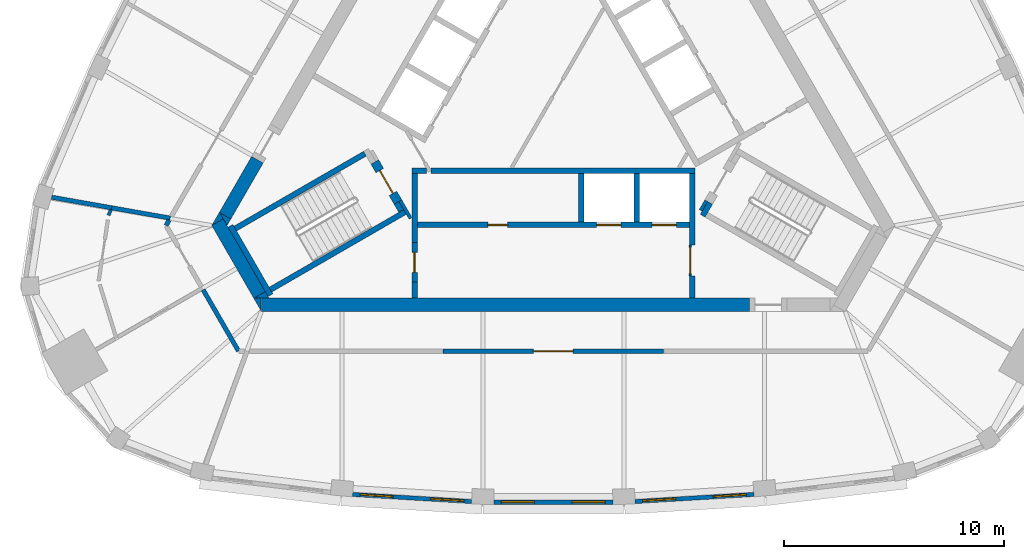
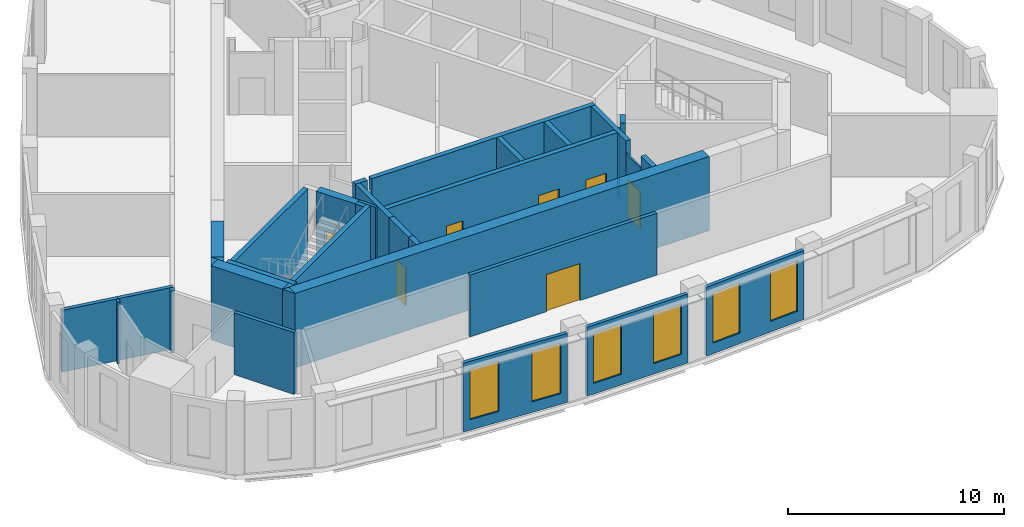
# One storey, part 3 of 8: 35 walls, 7 doors, 6 windows, 13 openings.
"""IFC4 building model written with IfcOpenShell, lengths in metres."""

from ifc_helpers import new_model, si_unit, direction, frame, frame_2d, origin, place, context, subcontext, project, spatial, polyline, rectangle, outline, extrude, material, layer, layer_set, type_object, element, fill, save


model = new_model("IFC4")

# Units and contexts
model_context = context("Model", 3, precision=1e-05, world=origin(), true_north=direction((0.0, 1.0)))
body_context = subcontext(model_context, "Body", "Model", "MODEL_VIEW")
ifc_project = project(units=[si_unit("LENGTHUNIT", "METRE"), si_unit("AREAUNIT", "SQUARE_METRE"), si_unit("VOLUMEUNIT", "CUBIC_METRE"), si_unit("PLANEANGLEUNIT", "RADIAN"), si_unit("MASSUNIT", "GRAM", prefix="KILO")], contexts=[model_context])

# Site, building, storey
site_placement = place(None, origin())
site = spatial("IfcSite", under=ifc_project, at=site_placement, CompositionType="ELEMENT")
building_placement = place(site_placement, origin())
building = spatial("IfcBuilding", under=site, at=building_placement, Name="Mestral Congress Tower", CompositionType="ELEMENT")
storey_placement = place(building_placement, frame((0.0, 0.0, 317.39990234375)))
storey = spatial("IfcBuildingStorey", under=building, at=storey_placement, Name="L74", CompositionType="ELEMENT", Elevation=317.39990234375)

# Wall
ifc_material_1 = material(Name="Fire-rated board partition")
ifc_layer_1 = layer(ifc_material_1, 0.14990234375)
ifc_layer_set_1 = layer_set([ifc_layer_1], Name="Fire-rated board partition")
wall_type_1 = type_object("IfcWallType", Name="Core partition 150", PredefinedType="PARTITIONING", material=ifc_layer_set_1)
wall_1_placement = place(storey_placement, frame((6.94482421875, -5.22216796875, 0.0), z_axis=(0.0, 0.0, 1.0), x_axis=(-0.499818422106, -0.866130212453, 0.0)))
element("IfcWall", 1, at=wall_1_placement, inside=storey, type_object=wall_type_1, Name="L74 core wall", PredefinedType="PARTITIONING", context=body_context, shape_type="SweptSolid", body=[
    extrude(rectangle(XDim=0.513916015625, YDim=0.14990234375, at=frame_2d((0.2568359375, 0.0))), origin(), (0.0, 0.0, 1.0), 3.5),
])

# Wall, opening, door
ifc_layer_2 = layer(ifc_material_1, 0.090087890625)
ifc_layer_set_2 = layer_set([ifc_layer_2], Name="Fire-rated board partition")
wall_type_2 = type_object("IfcWallType", Name="Core partition 150 door-wall 90", PredefinedType="PARTITIONING", material=ifc_layer_set_2)
wall_2_placement = place(storey_placement, frame((6.219970703125, -7.23681640625, 0.0), z_axis=(0.0, 0.0, 1.0), x_axis=(0.0, -1.0, 0.0)))
wall_2 = element("IfcWall", 2, at=wall_2_placement, inside=storey, type_object=wall_type_2, Name="L74 door wall", PredefinedType="PARTITIONING", context=body_context, shape_type="SweptSolid", body=[
    extrude(rectangle(XDim=1.400146484375, YDim=0.090087890625, at=frame_2d((0.7001953125, 0.0))), origin(), (0.0, 0.0, 1.0), 3.5),
])
opening_1_placement = place(wall_2_placement, frame((0.10009765625, 0.0, 0.0)))
opening_1 = element("IfcOpeningElement", 3, at=opening_1_placement, cuts=wall_2, Name="Opening LB0-WL1", PredefinedType="OPENING", context=body_context, shape_type="SweptSolid", body=[
    extrude(rectangle(XDim=1.199951171875, YDim=2.10009765625, at=frame_2d((0.60009765625, 1.050048828125))), frame((0.0, 0.054931640625, 0.0), z_axis=(0.0, -1.0, 0.0), x_axis=(1.0, 0.0, 0.0)), (0.0, 0.0, 1.0), 0.110107421875),
])
ifc_material_2 = material(Name="Fire-rated steel door set", Category="steel")
door_type_1 = type_object("IfcDoorType", Name="Core door LB 1200x2100", OperationType="SINGLE_SWING_LEFT", PredefinedType="DOOR", material=ifc_material_2)
door_1_placement = place(opening_1_placement, origin())
door_1 = element("IfcDoor", 4, at=door_1_placement, inside=storey, type_object=door_type_1, Name="Door LB0-WL1", OperationType="SINGLE_SWING_LEFT", OverallHeight=2.10009765625, OverallWidth=1.199951171875, PredefinedType="DOOR", context=body_context, shape_type="SweptSolid", body=[
    extrude(rectangle(XDim=1.199951171875, YDim=2.10009765625, at=frame_2d((0.60009765625, 1.050048828125))), frame((0.0, 0.02490234375, 0.0), z_axis=(0.0, -1.0, 0.0), x_axis=(1.0, 0.0, 0.0)), (0.0, 0.0, 1.0), 0.050048828125),
])
fill(opening_1, door_1)

# Walls
ifc_material_3 = material(Name="Concrete C60/75", Category="concrete")
ifc_layer_3 = layer(ifc_material_3, 0.60009765625)
ifc_layer_set_3 = layer_set([ifc_layer_3], Name="Concrete C60/75")
wall_type_3 = type_object("IfcWallType", Name="Core wall RC 600", PredefinedType="SOLIDWALL", material=ifc_layer_set_3)
wall_3_placement = place(storey_placement, frame((8.904296875, -9.949951171875, 0.0), z_axis=(0.0, 0.0, 1.0), x_axis=(-1.0, 0.0, 0.0)))
element("IfcWall", 5, at=wall_3_placement, inside=storey, type_object=wall_type_3, Name="L74 core wall", PredefinedType="SOLIDWALL", context=body_context, shape_type="SweptSolid", body=[
    extrude(rectangle(XDim=22.160888671875, YDim=0.60009765625, at=frame_2d((11.08056640625, 0.0))), origin(), (0.0, 0.0, 1.0), 4.2001953125),
])
placement = place(storey_placement, origin())
element("IfcWall", 6, at=placement, inside=storey, type_object=wall_type_3, Name="L74 core wall", PredefinedType="SOLIDWALL", context=body_context, shape_type="SweptSolid", body=[
    extrude(outline(polyline([(-13.5966796875, -9.64990234375), (-13.258544921875, -9.64990234375), (-13.258544921875, -10.235595703125), (-13.5966796875, -9.64990234375)])), origin(), (0.0, 0.0, 1.0), 4.2001953125),
])
wall_5_placement = place(storey_placement, frame((-13.33349609375, -9.505615234375, 0.0), z_axis=(0.0, 0.0, 1.0), x_axis=(-0.500019073792, 0.866014391245, 0.0)))
element("IfcWall", 7, at=wall_5_placement, inside=storey, type_object=wall_type_3, Name="L74 core wall", PredefinedType="SOLIDWALL", context=body_context, shape_type="SweptSolid", body=[
    extrude(rectangle(XDim=3.823486328125, YDim=0.60009765625, at=frame_2d((1.91162109375, 0.0))), origin(), (0.0, 0.0, 1.0), 4.2001953125),
])
element("IfcWall", 8, at=placement, inside=storey, type_object=wall_type_3, Name="L74 core wall", PredefinedType="SOLIDWALL", context=body_context, shape_type="SweptSolid", body=[
    extrude(outline(polyline([(-14.986572265625, -6.042724609375), (-15.493408203125, -6.33544921875), (-15.155517578125, -5.75), (-14.986572265625, -6.042724609375)])), origin(), (0.0, 0.0, 1.0), 4.2001953125),
])
element("IfcWall", 9, at=placement, inside=storey, type_object=wall_type_3, Name="L74 core wall", PredefinedType="SOLIDWALL", context=body_context, shape_type="SweptSolid", body=[
    extrude(outline(polyline([(-12.90380859375, -9.64990234375), (-13.579833984375, -9.64990234375), (-13.07275390625, -9.357421875), (-12.90380859375, -9.64990234375)])), origin(), (0.0, 0.0, 1.0), 4.2001953125),
])
wall_8_placement = place(storey_placement, frame((-13.431640625, -3.3642578125, 0.0), z_axis=(0.0, 0.0, 1.0), x_axis=(-0.499960127962, -0.866048422692, 0.0)))
element("IfcWall", 10, at=wall_8_placement, inside=storey, type_object=wall_type_3, Name="L74 core wall", PredefinedType="SOLIDWALL", context=body_context, shape_type="SweptSolid", body=[
    extrude(rectangle(XDim=2.934326171875, YDim=0.60009765625, at=frame_2d((1.46728515625, 0.0))), origin(), (0.0, 0.0, 1.0), 4.2001953125),
])
element("IfcWall", 11, at=placement, inside=storey, type_object=wall_type_3, Name="L74 core wall", PredefinedType="SOLIDWALL", context=body_context, shape_type="SweptSolid", body=[
    extrude(outline(polyline([(-14.80908203125, -6.35009765625), (-15.147216796875, -5.764404296875), (-14.639892578125, -6.057373046875), (-14.80908203125, -6.35009765625)])), origin(), (0.0, 0.0, 1.0), 4.2001953125),
])

# Wall, openings, windows
ifc_material_4 = material(Name="Precast concrete C40/50 with limestone facing", Category="masonry")
ifc_layer_4 = layer(ifc_material_4, 0.18994140625)
ifc_layer_set_4 = layer_set([ifc_layer_4], Name="Precast concrete C40/50 with limestone facing")
wall_type_4 = type_object("IfcWallType", Name="Facade stone wall 190", PredefinedType="SOLIDWALL", material=ifc_layer_set_4)
wall_10_placement = place(storey_placement, frame((-9.106689453125, -18.557861328125, 0.0), z_axis=(0.0, 0.0, 1.0), x_axis=(0.998221492823, -0.059614186786, 0.0)))
wall_10 = element("IfcWall", 12, at=wall_10_placement, inside=storey, type_object=wall_type_4, Name="Facade wall F0-01", PredefinedType="SOLIDWALL", context=body_context, shape_type="SweptSolid", body=[
    extrude(rectangle(XDim=5.40576171875, YDim=0.18994140625, at=frame_2d((2.702880859375, 0.0))), origin(), (0.0, 0.0, 1.0), 3.900146484375),
])
opening_2_placement = place(wall_10_placement, frame((0.346435546875, 0.0, 0.60009765625)))
opening_2 = element("IfcOpeningElement", 13, at=opening_2_placement, cuts=wall_10, Name="Opening W6", PredefinedType="OPENING", context=body_context, shape_type="SweptSolid", body=[
    extrude(rectangle(XDim=1.5, YDim=2.85009765625, at=frame_2d((0.75, 1.425048828125))), frame((0.0, 0.10498046875, 0.0), z_axis=(0.0, -1.0, 0.0), x_axis=(1.0, 0.0, 0.0)), (0.0, 0.0, 1.0), 0.2099609375),
])
opening_3_placement = place(wall_10_placement, frame((3.559326171875, 0.0, 0.60009765625)))
opening_3 = element("IfcOpeningElement", 14, at=opening_3_placement, cuts=wall_10, Name="Opening W6", PredefinedType="OPENING", context=body_context, shape_type="SweptSolid", body=[
    extrude(rectangle(XDim=1.5, YDim=2.85009765625, at=frame_2d((0.75, 1.425048828125))), frame((0.0, 0.10498046875, 0.0), z_axis=(0.0, -1.0, 0.0), x_axis=(1.0, 0.0, 0.0)), (0.0, 0.0, 1.0), 0.2099609375),
])
ifc_material_5 = material(Name="Clear low-emissivity double glazing", Category="glass")
window_type = type_object("IfcWindowType", Name="Facade punched window 1500 x 2850 sill 600", PartitioningType="SINGLE_PANEL", PredefinedType="WINDOW", material=ifc_material_5)
window_1_placement = place(opening_2_placement, origin())
window_1 = element("IfcWindow", 15, at=window_1_placement, inside=storey, type_object=window_type, Name="Window F0-01a", OverallHeight=2.85009765625, OverallWidth=1.5, PartitioningType="SINGLE_PANEL", PredefinedType="WINDOW", context=body_context, shape_type="SweptSolid", body=[
    extrude(rectangle(XDim=1.5, YDim=2.85009765625, at=frame_2d((0.75, 1.425048828125))), frame((0.0, 0.044921875, 0.0), z_axis=(0.0, -1.0, 0.0), x_axis=(1.0, 0.0, 0.0)), (0.0, 0.0, 1.0), 0.06005859375),
])
fill(opening_2, window_1)
window_2_placement = place(opening_3_placement, origin())
window_2 = element("IfcWindow", 16, at=window_2_placement, inside=storey, type_object=window_type, Name="Window F0-01b", OverallHeight=2.85009765625, OverallWidth=1.5, PartitioningType="SINGLE_PANEL", PredefinedType="WINDOW", context=body_context, shape_type="SweptSolid", body=[
    extrude(rectangle(XDim=1.5, YDim=2.85009765625, at=frame_2d((0.75, 1.425048828125))), frame((0.0, 0.044921875, 0.0), z_axis=(0.0, -1.0, 0.0), x_axis=(1.0, 0.0, 0.0)), (0.0, 0.0, 1.0), 0.06005859375),
])
fill(opening_3, window_2)

wall_11_placement = place(storey_placement, frame((-2.702880859375, -18.91015625, 0.0), z_axis=(0.0, 0.0, 1.0), x_axis=(1.0, 0.0, 0.0)))
wall_11 = element("IfcWall", 17, at=wall_11_placement, inside=storey, type_object=wall_type_4, Name="Facade wall F0-02", PredefinedType="SOLIDWALL", context=body_context, shape_type="SweptSolid", body=[
    extrude(rectangle(XDim=5.40576171875, YDim=0.18994140625, at=frame_2d((2.702880859375, 0.0))), origin(), (0.0, 0.0, 1.0), 3.900146484375),
])
opening_4_placement = place(wall_11_placement, frame((0.346435546875, 0.0, 0.60009765625)))
opening_4 = element("IfcOpeningElement", 18, at=opening_4_placement, cuts=wall_11, Name="Opening W6", PredefinedType="OPENING", context=body_context, shape_type="SweptSolid", body=[
    extrude(rectangle(XDim=1.5, YDim=2.85009765625, at=frame_2d((0.75, 1.425048828125))), frame((0.0, 0.10498046875, 0.0), z_axis=(0.0, -1.0, 0.0), x_axis=(1.0, 0.0, 0.0)), (0.0, 0.0, 1.0), 0.2099609375),
])
opening_5_placement = place(wall_11_placement, frame((3.5595703125, 0.0, 0.60009765625)))
opening_5 = element("IfcOpeningElement", 19, at=opening_5_placement, cuts=wall_11, Name="Opening W6", PredefinedType="OPENING", context=body_context, shape_type="SweptSolid", body=[
    extrude(rectangle(XDim=1.5, YDim=2.85009765625, at=frame_2d((0.75, 1.425048828125))), frame((0.0, 0.10498046875, 0.0), z_axis=(0.0, -1.0, 0.0), x_axis=(1.0, 0.0, 0.0)), (0.0, 0.0, 1.0), 0.2099609375),
])
window_3_placement = place(opening_4_placement, origin())
window_3 = element("IfcWindow", 20, at=window_3_placement, inside=storey, type_object=window_type, Name="Window F0-02a", OverallHeight=2.85009765625, OverallWidth=1.5, PartitioningType="SINGLE_PANEL", PredefinedType="WINDOW", context=body_context, shape_type="SweptSolid", body=[
    extrude(rectangle(XDim=1.5, YDim=2.85009765625, at=frame_2d((0.75, 1.425048828125))), frame((0.0, 0.044921875, 0.0), z_axis=(0.0, -1.0, 0.0), x_axis=(1.0, 0.0, 0.0)), (0.0, 0.0, 1.0), 0.06005859375),
])
fill(opening_4, window_3)
window_4_placement = place(opening_5_placement, origin())
window_4 = element("IfcWindow", 21, at=window_4_placement, inside=storey, type_object=window_type, Name="Window F0-02b", OverallHeight=2.85009765625, OverallWidth=1.5, PartitioningType="SINGLE_PANEL", PredefinedType="WINDOW", context=body_context, shape_type="SweptSolid", body=[
    extrude(rectangle(XDim=1.5, YDim=2.85009765625, at=frame_2d((0.75, 1.425048828125))), frame((0.0, 0.044921875, 0.0), z_axis=(0.0, -1.0, 0.0), x_axis=(1.0, 0.0, 0.0)), (0.0, 0.0, 1.0), 0.06005859375),
])
fill(opening_5, window_4)

wall_12_placement = place(storey_placement, frame((3.71044921875, -18.880126953125, 0.0), z_axis=(0.0, 0.0, 1.0), x_axis=(0.998221492823, 0.059614186786, 0.0)))
wall_12 = element("IfcWall", 22, at=wall_12_placement, inside=storey, type_object=wall_type_4, Name="Facade wall F0-03", PredefinedType="SOLIDWALL", context=body_context, shape_type="SweptSolid", body=[
    extrude(rectangle(XDim=5.40576171875, YDim=0.18994140625, at=frame_2d((2.702880859375, 0.0))), origin(), (0.0, 0.0, 1.0), 3.900146484375),
])
opening_6_placement = place(wall_12_placement, frame((0.346435546875, 0.0, 0.60009765625)))
opening_6 = element("IfcOpeningElement", 23, at=opening_6_placement, cuts=wall_12, Name="Opening W6", PredefinedType="OPENING", context=body_context, shape_type="SweptSolid", body=[
    extrude(rectangle(XDim=1.5, YDim=2.85009765625, at=frame_2d((0.75, 1.425048828125))), frame((0.0, 0.10498046875, 0.0), z_axis=(0.0, -1.0, 0.0), x_axis=(1.0, 0.0, 0.0)), (0.0, 0.0, 1.0), 0.2099609375),
])
opening_7_placement = place(wall_12_placement, frame((3.559326171875, 0.0, 0.60009765625)))
opening_7 = element("IfcOpeningElement", 24, at=opening_7_placement, cuts=wall_12, Name="Opening W6", PredefinedType="OPENING", context=body_context, shape_type="SweptSolid", body=[
    extrude(rectangle(XDim=1.5, YDim=2.85009765625, at=frame_2d((0.75, 1.425048828125))), frame((0.0, 0.10498046875, 0.0), z_axis=(0.0, -1.0, 0.0), x_axis=(1.0, 0.0, 0.0)), (0.0, 0.0, 1.0), 0.2099609375),
])
window_5_placement = place(opening_6_placement, origin())
window_5 = element("IfcWindow", 25, at=window_5_placement, inside=storey, type_object=window_type, Name="Window F0-03a", OverallHeight=2.85009765625, OverallWidth=1.5, PartitioningType="SINGLE_PANEL", PredefinedType="WINDOW", context=body_context, shape_type="SweptSolid", body=[
    extrude(rectangle(XDim=1.5, YDim=2.85009765625, at=frame_2d((0.75, 1.425048828125))), frame((0.0, 0.044921875, 0.0), z_axis=(0.0, -1.0, 0.0), x_axis=(1.0, 0.0, 0.0)), (0.0, 0.0, 1.0), 0.06005859375),
])
fill(opening_6, window_5)
window_6_placement = place(opening_7_placement, origin())
window_6 = element("IfcWindow", 26, at=window_6_placement, inside=storey, type_object=window_type, Name="Window F0-03b", OverallHeight=2.85009765625, OverallWidth=1.5, PartitioningType="SINGLE_PANEL", PredefinedType="WINDOW", context=body_context, shape_type="SweptSolid", body=[
    extrude(rectangle(XDim=1.5, YDim=2.85009765625, at=frame_2d((0.75, 1.425048828125))), frame((0.0, 0.044921875, 0.0), z_axis=(0.0, -1.0, 0.0), x_axis=(1.0, 0.0, 0.0)), (0.0, 0.0, 1.0), 0.06005859375),
])
fill(opening_7, window_6)

# Wall
ifc_material_6 = material(Name="Plasterboard partition on steel studs", Category="steel")
ifc_layer_5 = layer(ifc_material_6, 0.14990234375)
ifc_layer_set_5 = layer_set([ifc_layer_5], Name="Plasterboard partition on steel studs")
wall_type_5 = type_object("IfcWallType", Name="Office partition 150", PredefinedType="PARTITIONING", material=ifc_layer_set_5)
wall_13_placement = place(storey_placement, frame((-20.08349609375, -5.642578125, 0.0), z_axis=(0.0, 0.0, 1.0), x_axis=(-0.392924203078, -0.919570862215, 0.0)))
element("IfcWall", 27, at=wall_13_placement, inside=storey, type_object=wall_type_5, Name="Partition", PredefinedType="PARTITIONING", context=body_context, shape_type="SweptSolid", body=[
    extrude(rectangle(XDim=0.2666015625, YDim=0.14990234375, at=frame_2d((0.13330078125, 0.0))), origin(), (0.0, 0.0, 1.0), 3.5),
])

# Wall, opening, door
ifc_material_7 = material(Name="Dense masonry wall, plastered", Category="masonry")
ifc_layer_6 = layer(ifc_material_7, 0.199951171875)
ifc_layer_set_6 = layer_set([ifc_layer_6], Name="Dense masonry wall, plastered")
wall_type_6 = type_object("IfcWallType", Name="Office tenancy wall 200", PredefinedType="PARTITIONING", material=ifc_layer_set_6)
wall_14_placement = place(storey_placement, frame((-5.0, -12.050048828125, 0.0), z_axis=(0.0, 0.0, 1.0), x_axis=(1.0, 0.0, 0.0)))
wall_14 = element("IfcWall", 28, at=wall_14_placement, inside=storey, type_object=wall_type_6, Name="Tenancy wall", PredefinedType="PARTITIONING", context=body_context, shape_type="SweptSolid", body=[
    extrude(rectangle(XDim=10.0, YDim=0.199951171875, at=frame_2d((5.0, 0.0))), origin(), (0.0, 0.0, 1.0), 3.5),
])
opening_8_placement = place(wall_14_placement, frame((4.10009765625, 0.0, 0.0)))
opening_8 = element("IfcOpeningElement", 29, at=opening_8_placement, cuts=wall_14, Name="Opening O15-001", PredefinedType="OPENING", context=body_context, shape_type="SweptSolid", body=[
    extrude(rectangle(XDim=1.800048828125, YDim=2.10009765625, at=frame_2d((0.89990234375, 1.050048828125))), frame((0.0, 0.10986328125, 0.0), z_axis=(0.0, -1.0, 0.0), x_axis=(1.0, 0.0, 0.0)), (0.0, 0.0, 1.0), 0.219970703125),
])
ifc_material_8 = material(Name="Fire-rated timber door set", Category="wood")
door_type_2 = type_object("IfcDoorType", Name="Office assembly double door 1800x2100", OperationType="DOUBLE_DOOR_SINGLE_SWING", PredefinedType="DOOR", material=ifc_material_8)
door_2_placement = place(opening_8_placement, origin())
door_2 = element("IfcDoor", 30, at=door_2_placement, inside=storey, type_object=door_type_2, Name="Door O15-001", OperationType="DOUBLE_DOOR_SINGLE_SWING", OverallHeight=2.10009765625, OverallWidth=1.800048828125, PredefinedType="DOOR", context=body_context, shape_type="SweptSolid", body=[
    extrude(rectangle(XDim=1.800048828125, YDim=2.10009765625, at=frame_2d((0.89990234375, 1.050048828125))), frame((0.0, 0.02490234375, 0.0), z_axis=(0.0, -1.0, 0.0), x_axis=(1.0, 0.0, 0.0)), (0.0, 0.0, 1.0), 0.050048828125),
])
fill(opening_8, door_2)

# Walls
wall_15_placement = place(storey_placement, frame((-20.0390625, -5.548828125, 0.0), z_axis=(0.0, 0.0, 1.0), x_axis=(-0.984771168486, 0.173855531173, 0.0)))
element("IfcWall", 31, at=wall_15_placement, inside=storey, type_object=wall_type_6, Name="Tenancy wall", PredefinedType="PARTITIONING", context=body_context, shape_type="SweptSolid", body=[
    extrude(rectangle(XDim=2.777587890625, YDim=0.199951171875, at=frame_2d((1.388671875, 0.0))), origin(), (0.0, 0.0, 1.0), 3.5),
])
wall_16_placement = place(storey_placement, frame((-17.387939453125, -6.01708984375, 0.0), z_axis=(0.0, 0.0, 1.0), x_axis=(-0.984769902927, 0.173862699534, 0.0)))
element("IfcWall", 32, at=wall_16_placement, inside=storey, type_object=wall_type_6, Name="Tenancy wall", PredefinedType="PARTITIONING", context=body_context, shape_type="SweptSolid", body=[
    extrude(rectangle(XDim=2.7001953125, YDim=0.199951171875, at=frame_2d((1.35009765625, 0.0))), origin(), (0.0, 0.0, 1.0), 3.5),
])
wall_17_placement = place(storey_placement, frame((-17.441162109375, -6.109130859375, 0.0), z_axis=(0.0, 0.0, 1.0), x_axis=(-0.500102178127, -0.865966403178, 0.0)))
element("IfcWall", 33, at=wall_17_placement, inside=storey, type_object=wall_type_6, Name="Tenancy wall", PredefinedType="PARTITIONING", context=body_context, shape_type="SweptSolid", body=[
    extrude(rectangle(XDim=0.2783203125, YDim=0.199951171875, at=frame_2d((0.13916015625, 0.0))), origin(), (0.0, 0.0, 1.0), 3.5),
])
wall_18_placement = place(storey_placement, frame((-15.8974609375, -9.264892578125, 0.0), z_axis=(0.0, 0.0, 1.0), x_axis=(0.500033484244, -0.866006070784, 0.0)))
element("IfcWall", 34, at=wall_18_placement, inside=storey, type_object=wall_type_6, Name="Tenancy wall", PredefinedType="PARTITIONING", context=body_context, shape_type="SweptSolid", body=[
    extrude(rectangle(XDim=3.216064453125, YDim=0.199951171875, at=frame_2d((1.60791015625, 0.0))), origin(), (0.0, 0.0, 1.0), 3.5),
])
ifc_layer_7 = layer(ifc_material_3, 0.25)
ifc_layer_set_7 = layer_set([ifc_layer_7], Name="Concrete C60/75")
wall_type_7 = type_object("IfcWallType", Name="Shaft wall RC 250", PredefinedType="SOLIDWALL", material=ifc_layer_set_7)
wall_19_placement = place(storey_placement, frame((-5.544921875, -3.875, 0.0), z_axis=(0.0, 0.0, 1.0), x_axis=(1.0, 0.0, 0.0)))
element("IfcWall", 35, at=wall_19_placement, inside=storey, type_object=wall_type_7, Name="L74 core wall", PredefinedType="SOLIDWALL", context=body_context, shape_type="SweptSolid", body=[
    extrude(rectangle(XDim=11.969970703125, YDim=0.25, at=frame_2d((5.98486328125, 0.0))), origin(), (0.0, 0.0, 1.0), 4.2001953125),
])
wall_20_placement = place(storey_placement, frame((-6.425048828125, -3.875, 0.0), z_axis=(0.0, 0.0, 1.0), x_axis=(1.0, 0.0, 0.0)))
element("IfcWall", 36, at=wall_20_placement, inside=storey, type_object=wall_type_7, Name="L74 core wall", PredefinedType="SOLIDWALL", context=body_context, shape_type="SweptSolid", body=[
    extrude(rectangle(XDim=0.657958984375, YDim=0.25, at=frame_2d((0.3291015625, 0.0))), origin(), (0.0, 0.0, 1.0), 4.2001953125),
])
wall_21_placement = place(storey_placement, frame((6.300048828125, -7.239990234375, 0.0), z_axis=(0.0, 0.0, 1.0), x_axis=(0.0, 1.0, 0.0)))
element("IfcWall", 37, at=wall_21_placement, inside=storey, type_object=wall_type_7, Name="L74 core wall", PredefinedType="SOLIDWALL", context=body_context, shape_type="SweptSolid", body=[
    extrude(rectangle(XDim=3.239990234375, YDim=0.25, at=frame_2d((1.6201171875, 0.0))), origin(), (0.0, 0.0, 1.0), 4.2001953125),
])
wall_22_placement = place(storey_placement, frame((6.300048828125, -9.64990234375, 0.0), z_axis=(0.0, 0.0, 1.0), x_axis=(0.0, 1.0, 0.0)))
element("IfcWall", 38, at=wall_22_placement, inside=storey, type_object=wall_type_7, Name="L74 core wall", PredefinedType="SOLIDWALL", context=body_context, shape_type="SweptSolid", body=[
    extrude(rectangle(XDim=1.0078125, YDim=0.25, at=frame_2d((0.50390625, 0.0))), origin(), (0.0, 0.0, 1.0), 4.2001953125),
])
for number, where, z_axis, x_axis, name in (
    (39, (3.780029296875, -4.0, 0.0), (0.0, 0.0, 1.0), (0.0, -1.0, 0.0), "L74 core wall"),
    (40, (1.260009765625, -4.0, 0.0), (0.0, 0.0, 1.0), (0.0, -1.0, 0.0), "L74 core wall"),
):
    element("IfcWall", number, at=place(storey_placement, frame(where, z_axis=z_axis, x_axis=x_axis)), inside=storey, type_object=wall_type_7, Name=name, PredefinedType="SOLIDWALL", context=body_context, shape_type="SweptSolid", body=[
        extrude(rectangle(XDim=2.199951171875, YDim=0.25, at=frame_2d((1.10009765625, 0.0))), origin(), (0.0, 0.0, 1.0), 4.2001953125),
    ])
wall_23_placement = place(storey_placement, frame((-6.300048828125, -7.12451171875, 0.0), z_axis=(0.0, 0.0, 1.0), x_axis=(0.0, 1.0, 0.0)))
element("IfcWall", 41, at=wall_23_placement, inside=storey, type_object=wall_type_7, Name="L74 core wall", PredefinedType="SOLIDWALL", context=body_context, shape_type="SweptSolid", body=[
    extrude(rectangle(XDim=3.12451171875, YDim=0.25, at=frame_2d((1.562255859375, 0.0))), origin(), (0.0, 0.0, 1.0), 4.2001953125),
])
wall_24_placement = place(storey_placement, frame((-6.300048828125, -8.9248046875, 0.0), z_axis=(0.0, 0.0, 1.0), x_axis=(0.0, -1.0, 0.0)))
element("IfcWall", 42, at=wall_24_placement, inside=storey, type_object=wall_type_7, Name="L74 core wall", PredefinedType="SOLIDWALL", context=body_context, shape_type="SweptSolid", body=[
    extrude(rectangle(XDim=0.72509765625, YDim=0.25, at=frame_2d((0.362548828125, 0.0))), origin(), (0.0, 0.0, 1.0), 4.2001953125),
])

# Wall, openings, doors
wall_25_placement = place(storey_placement, frame((-6.175048828125, -6.324951171875, 0.0), z_axis=(0.0, 0.0, 1.0), x_axis=(1.0, 0.0, 0.0)))
wall_25 = element("IfcWall", 43, at=wall_25_placement, inside=storey, type_object=wall_type_7, Name="L74 door wall", PredefinedType="SOLIDWALL", context=body_context, shape_type="SweptSolid", body=[
    extrude(rectangle(XDim=12.35009765625, YDim=0.25, at=frame_2d((6.175048828125, 0.0))), origin(), (0.0, 0.0, 1.0), 4.2001953125),
])
opening_9_placement = place(wall_25_placement, frame((3.205078125, 0.0, 0.0)))
opening_9 = element("IfcOpeningElement", 44, at=opening_9_placement, cuts=wall_25, Name="Opening SR-SOB1", PredefinedType="OPENING", context=body_context, shape_type="SweptSolid", body=[
    extrude(rectangle(XDim=0.89990234375, YDim=2.10009765625, at=frame_2d((0.449951171875, 1.050048828125))), frame((0.0, 0.135009765625, 0.0), z_axis=(0.0, -1.0, 0.0), x_axis=(1.0, 0.0, 0.0)), (0.0, 0.0, 1.0), 0.27001953125),
])
opening_10_placement = place(wall_25_placement, frame((8.14501953125, 0.0, 0.0)))
opening_10 = element("IfcOpeningElement", 45, at=opening_10_placement, cuts=wall_25, Name="Opening LD-SOB4", PredefinedType="OPENING", context=body_context, shape_type="SweptSolid", body=[
    extrude(rectangle(XDim=1.10009765625, YDim=2.10009765625, at=frame_2d((0.550048828125, 1.050048828125))), frame((0.0, 0.135009765625, 0.0), z_axis=(0.0, -1.0, 0.0), x_axis=(1.0, 0.0, 0.0)), (0.0, 0.0, 1.0), 0.27001953125),
])
opening_11_placement = place(wall_25_placement, frame((10.6650390625, 0.0, 0.0)))
opening_11 = element("IfcOpeningElement", 46, at=opening_11_placement, cuts=wall_25, Name="Opening LD-SOB5", PredefinedType="OPENING", context=body_context, shape_type="SweptSolid", body=[
    extrude(rectangle(XDim=1.10009765625, YDim=2.10009765625, at=frame_2d((0.550048828125, 1.050048828125))), frame((0.0, 0.135009765625, 0.0), z_axis=(0.0, -1.0, 0.0), x_axis=(1.0, 0.0, 0.0)), (0.0, 0.0, 1.0), 0.27001953125),
])
door_type_3 = type_object("IfcDoorType", Name="Core door LD 1100x2100", OperationType="DOUBLE_DOOR_SLIDING", PredefinedType="DOOR", material=ifc_material_2)
door_3_placement = place(opening_10_placement, origin())
door_3 = element("IfcDoor", 47, at=door_3_placement, inside=storey, type_object=door_type_3, Name="Door LD-SOB4", OperationType="DOUBLE_DOOR_SLIDING", OverallHeight=2.10009765625, OverallWidth=1.10009765625, PredefinedType="DOOR", context=body_context, shape_type="SweptSolid", body=[
    extrude(rectangle(XDim=1.10009765625, YDim=2.10009765625, at=frame_2d((0.550048828125, 1.050048828125))), frame((0.0, 0.02490234375, 0.0), z_axis=(0.0, -1.0, 0.0), x_axis=(1.0, 0.0, 0.0)), (0.0, 0.0, 1.0), 0.050048828125),
])
fill(opening_10, door_3)
door_4_placement = place(opening_11_placement, origin())
door_4 = element("IfcDoor", 48, at=door_4_placement, inside=storey, type_object=door_type_3, Name="Door LD-SOB5", OperationType="DOUBLE_DOOR_SLIDING", OverallHeight=2.10009765625, OverallWidth=1.10009765625, PredefinedType="DOOR", context=body_context, shape_type="SweptSolid", body=[
    extrude(rectangle(XDim=1.10009765625, YDim=2.10009765625, at=frame_2d((0.550048828125, 1.050048828125))), frame((0.0, 0.02490234375, 0.0), z_axis=(0.0, -1.0, 0.0), x_axis=(1.0, 0.0, 0.0)), (0.0, 0.0, 1.0), 0.050048828125),
])
fill(opening_11, door_4)
door_type_4 = type_object("IfcDoorType", Name="Core door SR 900x2100", OperationType="SINGLE_SWING_LEFT", PredefinedType="DOOR", material=ifc_material_2)
door_5_placement = place(opening_9_placement, origin())
door_5 = element("IfcDoor", 49, at=door_5_placement, inside=storey, type_object=door_type_4, Name="Door SR-SOB1", OperationType="SINGLE_SWING_LEFT", OverallHeight=2.10009765625, OverallWidth=0.89990234375, PredefinedType="DOOR", context=body_context, shape_type="SweptSolid", body=[
    extrude(rectangle(XDim=0.89990234375, YDim=2.10009765625, at=frame_2d((0.449951171875, 1.050048828125))), frame((0.0, 0.02490234375, 0.0), z_axis=(0.0, -1.0, 0.0), x_axis=(1.0, 0.0, 0.0)), (0.0, 0.0, 1.0), 0.050048828125),
])
fill(opening_9, door_5)

# Wall, opening, door
wall_26_placement = place(storey_placement, frame((-6.300048828125, -7.12451171875, 0.0), z_axis=(0.0, 0.0, 1.0), x_axis=(0.0, -1.0, 0.0)))
wall_26 = element("IfcWall", 50, at=wall_26_placement, inside=storey, type_object=wall_type_7, Name="L74 door wall", PredefinedType="SOLIDWALL", context=body_context, shape_type="SweptSolid", body=[
    extrude(rectangle(XDim=1.800048828125, YDim=0.25, at=frame_2d((0.89990234375, 0.0))), origin(), (0.0, 0.0, 1.0), 4.2001953125),
])
opening_12_placement = place(wall_26_placement, frame((0.449951171875, 0.0, 0.0)))
opening_12 = element("IfcOpeningElement", 51, at=opening_12_placement, cuts=wall_26, Name="Opening TD3", PredefinedType="OPENING", context=body_context, shape_type="SweptSolid", body=[
    extrude(rectangle(XDim=0.89990234375, YDim=2.10009765625, at=frame_2d((0.449951171875, 1.050048828125))), frame((0.0, 0.135009765625, 0.0), z_axis=(0.0, -1.0, 0.0), x_axis=(1.0, 0.0, 0.0)), (0.0, 0.0, 1.0), 0.27001953125),
])
door_6_placement = place(opening_12_placement, origin())
door_6 = element("IfcDoor", 52, at=door_6_placement, inside=storey, type_object=door_type_4, Name="Door TD3", OperationType="SINGLE_SWING_LEFT", OverallHeight=2.10009765625, OverallWidth=0.89990234375, PredefinedType="DOOR", context=body_context, shape_type="SweptSolid", body=[
    extrude(rectangle(XDim=0.89990234375, YDim=2.10009765625, at=frame_2d((0.449951171875, 1.050048828125))), frame((0.0, 0.02490234375, 0.0), z_axis=(0.0, -1.0, 0.0), x_axis=(1.0, 0.0, 0.0)), (0.0, 0.0, 1.0), 0.050048828125),
])
fill(opening_12, door_6)

# Walls
ifc_layer_8 = layer(ifc_material_3, 0.14990234375)
ifc_layer_set_8 = layer_set([ifc_layer_8], Name="Concrete C60/75")
wall_type_8 = type_object("IfcWallType", Name="Shaft wall RC 250 door-wall 150", PredefinedType="SOLIDWALL", material=ifc_layer_set_8)
wall_27_placement = place(storey_placement, frame((-6.48046875, -6.026611328125, 0.0), z_axis=(0.0, 0.0, 1.0), x_axis=(-0.499927229454, 0.866067413802, 0.0)))
element("IfcWall", 53, at=wall_27_placement, inside=storey, type_object=wall_type_8, Name="L74 core wall", PredefinedType="PARTITIONING", context=body_context, shape_type="SweptSolid", body=[
    extrude(rectangle(XDim=0.928955078125, YDim=0.14990234375, at=frame_2d((0.46435546875, 0.0))), origin(), (0.0, 0.0, 1.0), 4.2001953125),
])
ifc_layer_9 = layer(ifc_material_3, 0.25)
ifc_layer_set_9 = layer_set([ifc_layer_9], Name="Concrete C60/75")
wall_type_9 = type_object("IfcWallType", Name="Stair wall RC 250", PredefinedType="SOLIDWALL", material=ifc_layer_set_9)
wall_28_placement = place(storey_placement, frame((6.780029296875, -5.906494140625, 0.0), z_axis=(0.0, 0.0, 1.0), x_axis=(0.500223362819, 0.865896406789, 0.0)))
element("IfcWall", 54, at=wall_28_placement, inside=storey, type_object=wall_type_9, Name="L74 core wall", PredefinedType="SOLIDWALL", context=body_context, shape_type="SweptSolid", body=[
    extrude(rectangle(XDim=0.675048828125, YDim=0.25, at=frame_2d((0.33740234375, 0.0))), origin(), (0.0, 0.0, 1.0), 4.2001953125),
])
wall_29_placement = place(storey_placement, frame((-12.839599609375, -9.510986328125, 0.0), z_axis=(0.0, 0.0, 1.0), x_axis=(-0.499997733992, 0.866026712061, 0.0)))
element("IfcWall", 55, at=wall_29_placement, inside=storey, type_object=wall_type_9, Name="L74 core wall", PredefinedType="SOLIDWALL", context=body_context, shape_type="SweptSolid", body=[
    extrude(rectangle(XDim=3.6337890625, YDim=0.25, at=frame_2d((1.81689453125, 0.0))), origin(), (0.0, 0.0, 1.0), 4.2001953125),
])
wall_30_placement = place(storey_placement, frame((-14.43994140625, -6.489501953125, 0.0), z_axis=(0.0, 0.0, 1.0), x_axis=(0.866022966069, 0.500004222222, 0.0)))
element("IfcWall", 56, at=wall_30_placement, inside=storey, type_object=wall_type_9, Name="L74 core wall", PredefinedType="SOLIDWALL", context=body_context, shape_type="SweptSolid", body=[
    extrude(rectangle(XDim=6.80029296875, YDim=0.25, at=frame_2d((3.400146484375, 0.0))), origin(), (0.0, 0.0, 1.0), 4.2001953125),
])
wall_31_placement = place(storey_placement, frame((-12.83984375, -9.2607421875, 0.0), z_axis=(0.0, 0.0, 1.0), x_axis=(0.866016039709, 0.500016218704, 0.0)))
element("IfcWall", 57, at=wall_31_placement, inside=storey, type_object=wall_type_9, Name="L74 core wall", PredefinedType="SOLIDWALL", context=body_context, shape_type="SweptSolid", body=[
    extrude(rectangle(XDim=7.050048828125, YDim=0.25, at=frame_2d((3.52490234375, 0.0))), origin(), (0.0, 0.0, 1.0), 4.2001953125),
])
wall_32_placement = place(storey_placement, frame((-6.905029296875, -5.68994140625, 0.0), z_axis=(0.0, 0.0, 1.0), x_axis=(-0.500402024738, 0.865793170242, 0.0)))
element("IfcWall", 58, at=wall_32_placement, inside=storey, type_object=wall_type_9, Name="L74 core wall", PredefinedType="SOLIDWALL", context=body_context, shape_type="SweptSolid", body=[
    extrude(rectangle(XDim=0.425048828125, YDim=0.25, at=frame_2d((0.21240234375, 0.0))), origin(), (0.0, 0.0, 1.0), 4.2001953125),
])

# Wall, opening, door
ifc_layer_10 = layer(ifc_material_3, 0.39990234375)
ifc_layer_set_10 = layer_set([ifc_layer_10], Name="Concrete C60/75")
wall_type_10 = type_object("IfcWallType", Name="Stair wall RC 250 door-wall 400", PredefinedType="SOLIDWALL", material=ifc_layer_set_10)
wall_33_placement = place(storey_placement, frame((-8.102783203125, -3.4658203125, 0.0), z_axis=(0.0, 0.0, 1.0), x_axis=(0.500078061341, -0.865980330357, 0.0)))
wall_33 = element("IfcWall", 59, at=wall_33_placement, inside=storey, type_object=wall_type_10, Name="L74 door wall", PredefinedType="SOLIDWALL", context=body_context, shape_type="SweptSolid", body=[
    extrude(rectangle(XDim=2.099853515625, YDim=0.39990234375, at=frame_2d((1.0498046875, 0.0))), origin(), (0.0, 0.0, 1.0), 4.2001953125),
])
opening_13_placement = place(wall_33_placement, frame((0.449951171875, 0.0, 0.0)))
opening_13 = element("IfcOpeningElement", 60, at=opening_13_placement, cuts=wall_33, Name="Opening ST-D3", PredefinedType="OPENING", context=body_context, shape_type="SweptSolid", body=[
    extrude(rectangle(XDim=1.199951171875, YDim=2.10009765625, at=frame_2d((0.60009765625, 1.050048828125))), frame((0.0, 0.2099609375, 0.0), z_axis=(0.0, -1.0, 0.0), x_axis=(1.0, 0.0, 0.0)), (0.0, 0.0, 1.0), 0.419921875),
])
door_type_5 = type_object("IfcDoorType", Name="Core door ST 1200x2100", OperationType="SINGLE_SWING_LEFT", PredefinedType="DOOR", material=ifc_material_2)
door_7_placement = place(opening_13_placement, origin())
door_7 = element("IfcDoor", 61, at=door_7_placement, inside=storey, type_object=door_type_5, Name="Door ST-D3", OperationType="SINGLE_SWING_LEFT", OverallHeight=2.10009765625, OverallWidth=1.199951171875, PredefinedType="DOOR", context=body_context, shape_type="SweptSolid", body=[
    extrude(rectangle(XDim=1.199951171875, YDim=2.10009765625, at=frame_2d((0.60009765625, 1.050048828125))), frame((0.0, 0.02490234375, 0.0), z_axis=(0.0, -1.0, 0.0), x_axis=(1.0, 0.0, 0.0)), (0.0, 0.0, 1.0), 0.050048828125),
])
fill(opening_13, door_7)

save(model, "model.ifc")
